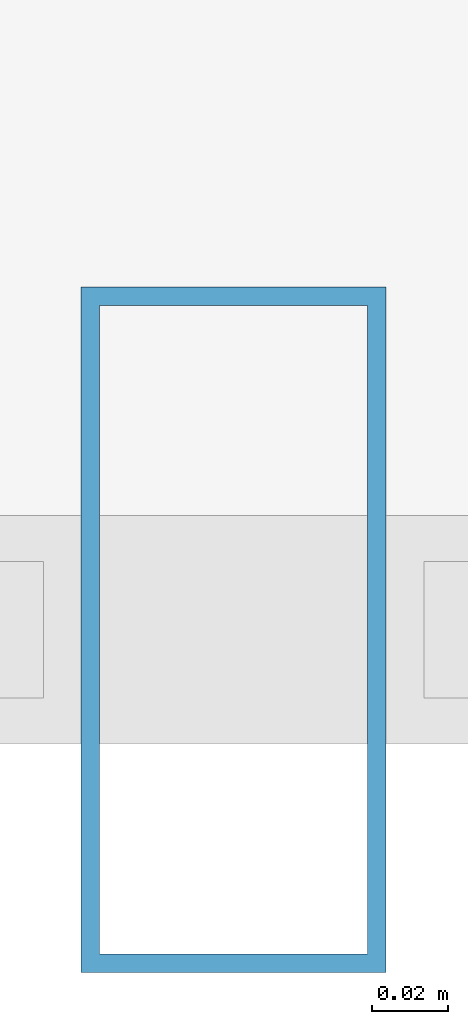
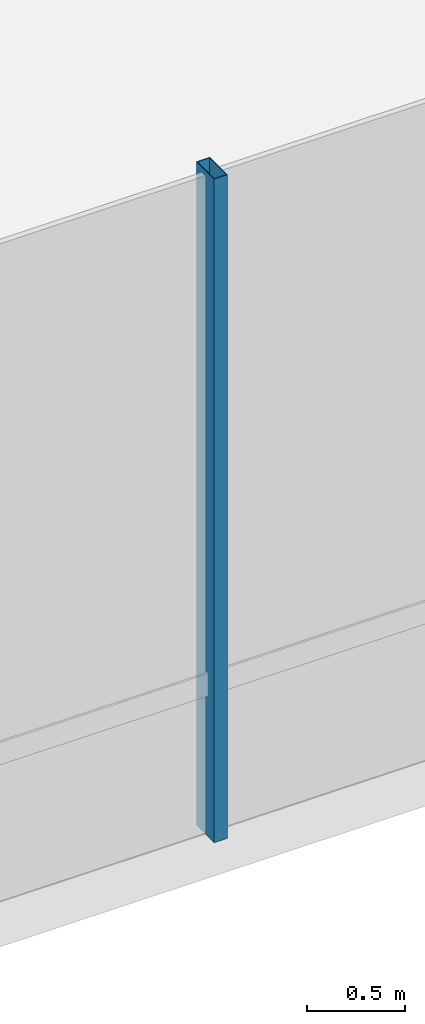
# One storey, part 11 of 37: 1 member, 1 element without a shape of its own.
"""IFC4 building model written with IfcOpenShell, lengths in metres."""

import ifcopenshell
import ifcopenshell.guid

model = None  # the IFC model being written
_history = None  # IfcOwnerHistory: only IFC2X3 demands one
_inside = {}  # id of a spatial element -> (the spatial element, [elements in it])
_under = {}  # id of a project, library or spatial element -> (it, [spatial elements below it])
_declared = {}  # id of a project -> (the project, [libraries it declares])
_typed = {}  # id of a type object -> (the type object, [elements of that type])
_made_of = {}  # id of a material, layer set ... -> (it, [elements and type objects made of it])


def new_model(schema):
    """Start an empty IFC model of exactly this schema.

    Asked for "IFC4X3", IfcOpenShell would pick the latest addendum, in which some entities
    have other attributes; the version numbers below select the first issue.
    IFC2X3 requires an IfcOwnerHistory on every rooted entity: one is made here for all.
    """
    global model, _history
    if schema == "IFC4X3":
        model = ifcopenshell.file(schema_version=(4, 3, 0, 0))
    else:
        model = ifcopenshell.file(schema=schema)
    _inside.clear()
    _under.clear()
    _declared.clear()
    _typed.clear()
    _made_of.clear()
    _history = None
    if model.schema == "IFC2X3":
        org = make("IfcOrganization", Name="unknown")
        user = make(
            "IfcPersonAndOrganization",
            ThePerson=make("IfcPerson", FamilyName="unknown"),
            TheOrganization=org,
        )
        app = make(
            "IfcApplication",
            ApplicationDeveloper=org,
            Version="unknown",
            ApplicationFullName="unknown",
            ApplicationIdentifier="unknown",
        )
        _history = make(
            "IfcOwnerHistory",
            OwningUser=user,
            OwningApplication=app,
            ChangeAction="ADDED",
            CreationDate=0,
        )
    return model


def make(cls, **values):
    """One entity of the class cls with the attributes given. An attribute that is None is left unset."""
    return model.create_entity(
        cls, **{name: value for name, value in values.items() if value is not None}
    )


def rooted(cls, **values):
    """An entity with a GlobalId (a new one), such as an element, a storey or a relation."""
    return make(cls, GlobalId=ifcopenshell.guid.new(), OwnerHistory=_history, **values)


def si_unit(unit_type, name, prefix=None):
    """IfcSIUnit, for example si_unit("LENGTHUNIT", "METRE", prefix="MILLI")."""
    return make("IfcSIUnit", UnitType=unit_type, Prefix=prefix, Name=name)


def assignment(units):
    """IfcUnitAssignment: the units of a project."""
    return None if units is None else make("IfcUnitAssignment", Units=units)


def point(xyz):
    """IfcCartesianPoint."""
    return None if xyz is None else make("IfcCartesianPoint", Coordinates=xyz)


def direction(xyz):
    """IfcDirection."""
    return None if xyz is None else make("IfcDirection", DirectionRatios=xyz)


def frame(location, z_axis=None, x_axis=None):
    """IfcAxis2Placement3D, a coordinate frame: its origin and axes. An axis left out is left unset."""
    return make(
        "IfcAxis2Placement3D",
        Location=point(location),
        Axis=direction(z_axis),
        RefDirection=direction(x_axis),
    )


def frame_2d(location, x_axis=None):
    """IfcAxis2Placement2D, a coordinate frame in the plane: its origin and x axis."""
    return make(
        "IfcAxis2Placement2D", Location=point(location), RefDirection=direction(x_axis)
    )


def origin():
    """The frame at (0, 0, 0) with its axes left unset."""
    return frame((0.0, 0.0, 0.0))


def origin_2d():
    """The frame at (0, 0) in the plane with its x axis left unset."""
    return frame_2d((0.0, 0.0))


def place(relative_to, where):
    """IfcLocalPlacement: puts the frame where relative to a parent placement (None: the world)."""
    return make(
        "IfcLocalPlacement", PlacementRelTo=relative_to, RelativePlacement=where
    )


def context(
    kind, dimensions, precision=None, world=None, true_north=None, identifier=None
):
    """IfcGeometricRepresentationContext, for example the 3D "Model" context."""
    return make(
        "IfcGeometricRepresentationContext",
        ContextIdentifier=identifier,
        ContextType=kind,
        CoordinateSpaceDimension=dimensions,
        Precision=precision,
        WorldCoordinateSystem=world,
        TrueNorth=true_north,
    )


def subcontext(parent, identifier, kind, view, scale=None):
    """IfcGeometricRepresentationSubContext, for example "Body" below "Model"."""
    return make(
        "IfcGeometricRepresentationSubContext",
        ContextIdentifier=identifier,
        ContextType=kind,
        ParentContext=parent,
        TargetScale=scale,
        TargetView=view,
    )


def project(units=None, contexts=None):
    """IfcProject with its units and contexts."""
    return rooted(
        "IfcProject",
        Name="project",
        RepresentationContexts=contexts,
        UnitsInContext=assignment(units),
    )


def spatial(cls, under=None, at=None, **own):
    """A site, building, storey or space (cls), placed at a placement, below another one or the project."""
    s = rooted(cls, ObjectPlacement=at, **own)
    if under is not None:
        _under.setdefault(under.id(), (under, []))[1].append(s)
    return s


def profile(cls, at=None, kind="AREA", **sizes):
    """A parametric profile (cls). Its sizes go by their IFC names, for example OverallWidth=200.0."""
    return make(cls, ProfileType=kind, Position=at, **sizes)


def hollow_rectangle(**sizes):
    """IfcRectangleHollowProfileDef."""
    return profile("IfcRectangleHollowProfileDef", **sizes)


def extrude(swept, where, along, depth):
    """IfcExtrudedAreaSolid: the profile swept, set in the frame where, extruded along a direction by depth."""
    return make(
        "IfcExtrudedAreaSolid",
        SweptArea=swept,
        Position=where,
        ExtrudedDirection=direction(along),
        Depth=depth,
    )


def shape(context_of_items, identifier, shape_type, items):
    """IfcShapeRepresentation: the items that make up one representation, for example the "Body"."""
    return make(
        "IfcShapeRepresentation",
        ContextOfItems=context_of_items,
        RepresentationIdentifier=identifier,
        RepresentationType=shape_type,
        Items=items,
    )


def material(Name=None, Category=None):
    """IfcMaterial."""
    return make("IfcMaterial", Name=Name, Category=Category)


def layer(
    of_material, thickness, ventilated=None, Name=None, Category=None, Priority=None
):
    """IfcMaterialLayer: one layer of a wall or slab, of a material (None: an air gap)."""
    return make(
        "IfcMaterialLayer",
        Material=of_material,
        LayerThickness=thickness,
        IsVentilated=ventilated,
        Name=Name,
        Category=Category,
        Priority=Priority,
    )


def layer_set(layers, Name=None):
    """IfcMaterialLayerSet."""
    return make("IfcMaterialLayerSet", MaterialLayers=layers, LayerSetName=Name)


def material_profile(
    of_material, cross_section, Name=None, Category=None, Priority=None
):
    """IfcMaterialProfile: a cross section and its material."""
    return make(
        "IfcMaterialProfile",
        Name=Name,
        Material=of_material,
        Profile=cross_section,
        Priority=Priority,
        Category=Category,
    )


def profile_set(profiles, Name=None, composite=None):
    """IfcMaterialProfileSet."""
    return make(
        "IfcMaterialProfileSet",
        Name=Name,
        MaterialProfiles=profiles,
        CompositeProfile=composite,
    )


def made_of(thing, what):
    """Note that an element or type object is made of a material, layer set ...; save() writes the relation."""
    if what is not None:
        _made_of.setdefault(what.id(), (what, []))[1].append(thing)
    return thing


def type_object(cls, material=None, **own):
    """A type object (cls), such as IfcWallType, which elements share."""
    return made_of(rooted(cls, **own), material)


def element(
    cls,
    number,
    at=None,
    inside=None,
    cuts=None,
    type_object=None,
    material=None,
    context=None,
    identifier="Body",
    shape_type=None,
    held_by="IfcProductDefinitionShape",
    body=None,
    shapes=None,
    **own,
):
    """One element of the class cls, such as IfcWall. Its Tag is "e" and its number.

    at: its placement. inside: the storey or other place that contains it. cuts: it is an
    opening in that element (IfcRelVoidsElement). A single representation is given by context,
    identifier, shape_type and body (its items); several are given by shapes. held_by: the class
    of the entity that holds the representations. save() writes the other relations.
    """
    e = rooted(cls, Tag="e%d" % number, ObjectPlacement=at, **own)
    if body is not None:
        shapes = [shape(context, identifier, shape_type, body)]
    if shapes is not None:
        e.Representation = make(held_by, Representations=shapes)
    if inside is not None:
        _inside.setdefault(inside.id(), (inside, []))[1].append(e)
    if cuts is not None:
        rooted(
            "IfcRelVoidsElement", RelatingBuildingElement=cuts, RelatedOpeningElement=e
        )
    if type_object is not None:
        _typed.setdefault(type_object.id(), (type_object, []))[1].append(e)
    return made_of(e, material)


def aggregate(whole, parts):
    """IfcRelAggregates: a whole, such as a stair, and the parts it consists of."""
    return rooted("IfcRelAggregates", RelatingObject=whole, RelatedObjects=parts)


def save(model, path):
    """Write the relations noted so far, then the file.

    IfcRelAggregates (storeys below a building ...), IfcRelContainedInSpatialStructure (elements
    in a storey), IfcRelDefinesByType, IfcRelAssociatesMaterial and IfcRelDeclares: one each for
    every whole, place, type object, material and project.
    """
    for whole, parts in _under.values():
        aggregate(whole, parts)
    for where, things in _inside.values():
        rooted(
            "IfcRelContainedInSpatialStructure",
            RelatedElements=things,
            RelatingStructure=where,
        )
    for kind, things in _typed.values():
        rooted("IfcRelDefinesByType", RelatedObjects=things, RelatingType=kind)
    for what, things in _made_of.values():
        rooted("IfcRelAssociatesMaterial", RelatedObjects=things, RelatingMaterial=what)
    for by, libraries in _declared.values():
        rooted("IfcRelDeclares", RelatingContext=by, RelatedDefinitions=libraries)
    model.write(path)


model = new_model("IFC4")

# Units and contexts
model_context = context("Model", 3, precision=1e-05, world=origin(), true_north=direction((0.0, 1.0)))
body_context = subcontext(model_context, "Body", "Model", "MODEL_VIEW")
ifc_project = project(units=[si_unit("LENGTHUNIT", "METRE"), si_unit("AREAUNIT", "SQUARE_METRE"), si_unit("VOLUMEUNIT", "CUBIC_METRE"), si_unit("PLANEANGLEUNIT", "RADIAN"), si_unit("MASSUNIT", "GRAM", prefix="KILO")], contexts=[model_context])

# Site, building, storey
site_placement = place(None, origin())
site = spatial("IfcSite", under=ifc_project, at=site_placement, CompositionType="ELEMENT")
building_placement = place(site_placement, origin())
building = spatial("IfcBuilding", under=site, at=building_placement, Name="Zarrinselat Tower", CompositionType="ELEMENT")
storey_placement = place(building_placement, frame((0.0, 0.0, 9.52001953125)))
storey = spatial("IfcBuildingStorey", under=building, at=storey_placement, Name="L02", CompositionType="ELEMENT", Elevation=9.52001953125)

# Curtain wall, member
ifc_material_1 = material(Name="Extruded Aluminium Alloy EN AW-6063 T6", Category="aluminium")
ifc_layer = layer(ifc_material_1, 0.2099609375)
ifc_layer_set = layer_set([ifc_layer], Name="Extruded Aluminium Alloy EN AW-6063 T6")
curtain_wall_type = type_object("IfcCurtainWallType", Name="CWS-POD", PredefinedType="NOTDEFINED", material=ifc_layer_set)
curtain_wall_placement = place(storey_placement, origin())
curtain_wall = element("IfcCurtainWall", 1, at=curtain_wall_placement, inside=storey, type_object=curtain_wall_type, Name="L02 Unitised Curtain Wall CW-L02-F1", PredefinedType="NOTDEFINED")
ifc_material_2 = material(Name="Extruded Aluminium Alloy EN AW-6063 T6", Category="aluminium")
ifc_material_profile = material_profile(ifc_material_2, hollow_rectangle(XDim=0.080078125, YDim=0.179931640625, WallThickness=0.0048828125, at=origin_2d()), Name="RHS 180x80x5")
ifc_profile_set = profile_set([ifc_material_profile], Name="Extruded Aluminium Alloy EN AW-6063 T6")
member_type = type_object("IfcMemberType", Name="MEM-CW-MUL", PredefinedType="MULLION", material=ifc_profile_set)
member_placement = place(storey_placement, frame((36.564697265625, 5.60009765625, 0.0), z_axis=(0.0, 0.0, 1.0), x_axis=(1.0, 0.0, 0.0)))
member = element("IfcMember", 2, at=member_placement, type_object=member_type, Name="CW-L02-F1 Mullion 8", PredefinedType="MULLION", context=body_context, shape_type="SweptSolid", body=[
    extrude(hollow_rectangle(XDim=0.080078125, YDim=0.179931640625, WallThickness=0.0048828125, at=origin_2d()), origin(), (0.0, 0.0, 1.0), 4.139892578125),
])
aggregate(curtain_wall, [member])

save(model, "model.ifc")
